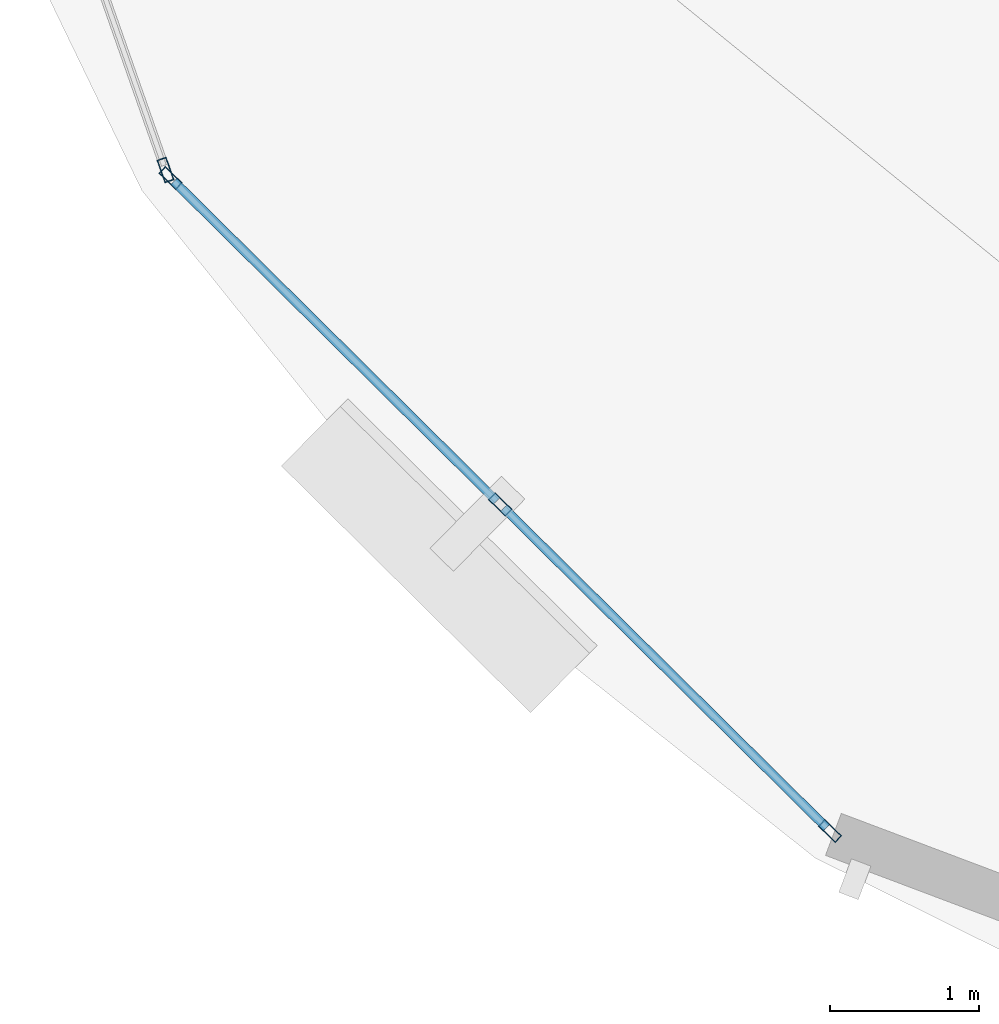
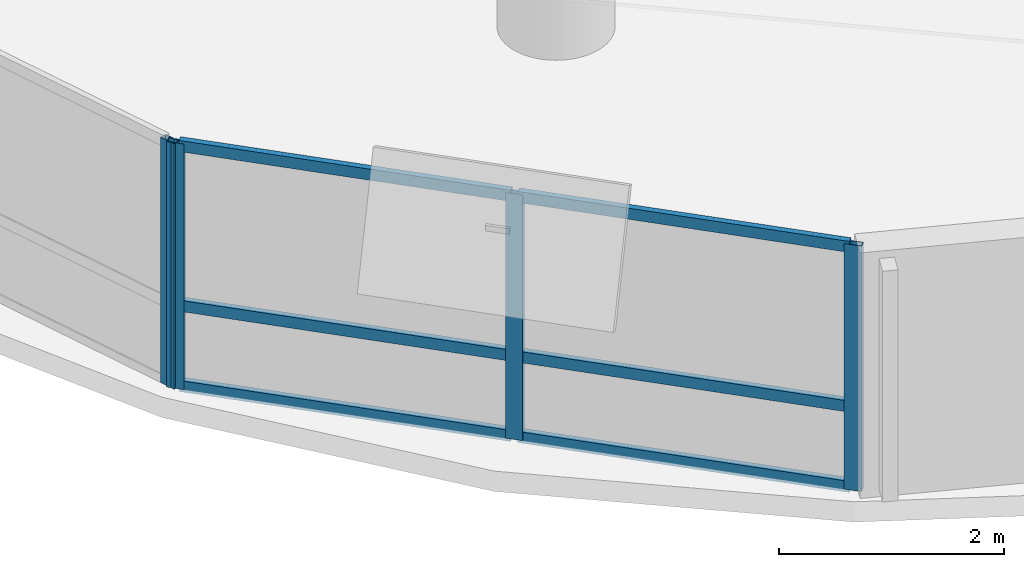
# One storey, part 2 of 12: 10 members, 2 elements without a shape of their own.
"""IFC4 building model written with IfcOpenShell, lengths in metres."""

from ifc_helpers import new_model, si_unit, direction, frame, origin, origin_2d, place, context, subcontext, project, spatial, hollow_rectangle, extrude, material, layer, layer_set, material_profile, profile_set, type_object, element, aggregate, save


model = new_model("IFC4")

# Units and contexts
model_context = context("Model", 3, precision=1e-05, world=origin(), true_north=direction((0.0, 1.0)))
body_context = subcontext(model_context, "Body", "Model", "MODEL_VIEW")
ifc_project = project(units=[si_unit("LENGTHUNIT", "METRE"), si_unit("AREAUNIT", "SQUARE_METRE"), si_unit("VOLUMEUNIT", "CUBIC_METRE"), si_unit("PLANEANGLEUNIT", "RADIAN"), si_unit("MASSUNIT", "GRAM", prefix="KILO"), si_unit("THERMODYNAMICTEMPERATUREUNIT", "KELVIN"), si_unit("POWERUNIT", "WATT")], contexts=[model_context])

# Site, building, storey
site_placement = place(None, origin())
site = spatial("IfcSite", under=ifc_project, at=site_placement, CompositionType="ELEMENT")
building_placement = place(site_placement, origin())
building = spatial("IfcBuilding", under=site, at=building_placement, Name="Ocrelia Relay Tower", CompositionType="ELEMENT")
storey_placement = place(building_placement, frame((0.0, 0.0, 170.0)))
storey = spatial("IfcBuildingStorey", under=building, at=storey_placement, Name="L40", CompositionType="ELEMENT", Elevation=170.0)

# Curtain wall, member
ifc_material_1 = material(Name="Aluminium and solar-control low-E glass", Category="aluminium")
ifc_layer = layer(ifc_material_1, 0.179931640625, Name="Aluminium and solar-control low-E glass")
ifc_layer_set = layer_set([ifc_layer], Name="Aluminium and solar-control low-E glass")
curtain_wall_type = type_object("IfcCurtainWallType", Name="CW-SYS-Z3-CLOU", PredefinedType="NOTDEFINED", material=ifc_layer_set)
curtain_wall_1_placement = place(storey_placement, origin())
curtain_wall_1 = element("IfcCurtainWall", 1, at=curtain_wall_1_placement, inside=storey, type_object=curtain_wall_type, Name="L40 Elliptical Tower Curtain Wall Bay 09", PredefinedType="NOTDEFINED")
ifc_material_2 = material(Name="Anodised bronze aluminium", Category="aluminium")
ifc_material_profile_1 = material_profile(ifc_material_2, hollow_rectangle(XDim=0.06494140625, YDim=0.159912109375, WallThickness=0.0048828125, at=origin_2d()), Name="CW-MUL-160x65")
ifc_profile_set_1 = profile_set([ifc_material_profile_1], Name="Anodised bronze aluminium")
member_type_1 = type_object("IfcMemberType", Name="CW-SYS-Z3-CLOU-MUL", PredefinedType="MULLION", material=ifc_profile_set_1)
member_1_placement = place(storey_placement, frame((14.210205078125, 13.52685546875, 0.0), z_axis=(0.0, 0.0, 1.0), x_axis=(0.943685270253, 0.330844541602, 0.0)))
member_1 = element("IfcMember", 2, at=member_1_placement, type_object=member_type_1, Name="CW-Z3 mullion 3", PredefinedType="MULLION", context=body_context, shape_type="SweptSolid", body=[
    extrude(hollow_rectangle(XDim=0.06494140625, YDim=0.159912109375, WallThickness=0.0048828125, at=origin_2d()), origin(), (0.0, 0.0, 1.0), 2.659912109375),
])
aggregate(curtain_wall_1, [member_1])

# Curtain wall, members
curtain_wall_2_placement = place(storey_placement, origin())
curtain_wall_2 = element("IfcCurtainWall", 3, at=curtain_wall_2_placement, inside=storey, type_object=curtain_wall_type, Name="L40 Elliptical Tower Curtain Wall Bay 10", PredefinedType="NOTDEFINED")
member_2_placement = place(storey_placement, frame((14.243896484375, 13.473388671875, 0.0), z_axis=(0.0, 0.0, 1.0), x_axis=(0.70364442691, 0.710552264425, 0.0)))
member_2 = element("IfcMember", 4, at=member_2_placement, type_object=member_type_1, Name="CW-Z3 mullion 1", PredefinedType="MULLION", context=body_context, shape_type="SweptSolid", body=[
    extrude(hollow_rectangle(XDim=0.06494140625, YDim=0.159912109375, WallThickness=0.0048828125, at=origin_2d()), origin(), (0.0, 0.0, 1.0), 2.659912109375),
])
member_3_placement = place(storey_placement, frame((16.452880859375, 11.285888671875, 0.0), z_axis=(0.0, 0.0, 1.0), x_axis=(0.70364442691, 0.710552264425, 0.0)))
member_3 = element("IfcMember", 5, at=member_3_placement, type_object=member_type_1, Name="CW-Z3 mullion 2", PredefinedType="MULLION", context=body_context, shape_type="SweptSolid", body=[
    extrude(hollow_rectangle(XDim=0.06494140625, YDim=0.159912109375, WallThickness=0.0048828125, at=origin_2d()), origin(), (0.0, 0.0, 1.0), 2.659912109375),
])
member_4_placement = place(storey_placement, frame((18.662109375, 9.098388671875, 0.0), z_axis=(0.0, 0.0, 1.0), x_axis=(0.70364442691, 0.710552264425, 0.0)))
member_4 = element("IfcMember", 6, at=member_4_placement, type_object=member_type_1, Name="CW-Z3 mullion 3", PredefinedType="MULLION", context=body_context, shape_type="SweptSolid", body=[
    extrude(hollow_rectangle(XDim=0.06494140625, YDim=0.159912109375, WallThickness=0.0048828125, at=origin_2d()), origin(), (0.0, 0.0, 1.0), 2.659912109375),
])
ifc_material_profile_2 = material_profile(ifc_material_2, hollow_rectangle(XDim=0.06005859375, YDim=0.1201171875, WallThickness=0.0048828125, at=origin_2d()), Name="CW-TRN-120x60")
ifc_profile_set_2 = profile_set([ifc_material_profile_2], Name="Anodised bronze aluminium")
member_type_2 = type_object("IfcMemberType", Name="CW-SYS-Z3-CLOU-TRN", PredefinedType="USERDEFINED", material=ifc_profile_set_2)
member_5_placement = place(storey_placement, frame((14.26708984375, 13.450439453125, 0.030029296875), z_axis=(0.710547239408, -0.703649501222, 0.0), x_axis=(0.703649501222, 0.710547239408, 0.0)))
member_5 = element("IfcMember", 7, at=member_5_placement, type_object=member_type_2, Name="CW-Z3 transom 1.1", ObjectType="TRANSOM", PredefinedType="USERDEFINED", context=body_context, shape_type="SweptSolid", body=[
    extrude(hollow_rectangle(XDim=0.06005859375, YDim=0.1201171875, WallThickness=0.0048828125, at=origin_2d()), origin(), (0.0, 0.0, 1.0), 3.0439453125),
])
member_6_placement = place(storey_placement, frame((14.26708984375, 13.450439453125, 0.89990234375), z_axis=(0.710547239408, -0.703649501222, 0.0), x_axis=(0.703649501222, 0.710547239408, 0.0)))
member_6 = element("IfcMember", 8, at=member_6_placement, type_object=member_type_2, Name="CW-Z3 transom 1.2", ObjectType="TRANSOM", PredefinedType="USERDEFINED", context=body_context, shape_type="SweptSolid", body=[
    extrude(hollow_rectangle(XDim=0.06005859375, YDim=0.1201171875, WallThickness=0.0048828125, at=origin_2d()), origin(), (0.0, 0.0, 1.0), 3.0439453125),
])
member_7_placement = place(storey_placement, frame((14.26708984375, 13.450439453125, 2.6298828125), z_axis=(0.710547239408, -0.703649501222, 0.0), x_axis=(0.703649501222, 0.710547239408, 0.0)))
member_7 = element("IfcMember", 9, at=member_7_placement, type_object=member_type_2, Name="CW-Z3 transom 1.3", ObjectType="TRANSOM", PredefinedType="USERDEFINED", context=body_context, shape_type="SweptSolid", body=[
    extrude(hollow_rectangle(XDim=0.06005859375, YDim=0.1201171875, WallThickness=0.0048828125, at=origin_2d()), origin(), (0.0, 0.0, 1.0), 3.0439453125),
])
member_8_placement = place(storey_placement, frame((16.47607421875, 11.262939453125, 0.030029296875), z_axis=(0.710547239408, -0.703649501222, 0.0), x_axis=(0.703649501222, 0.710547239408, 0.0)))
member_8 = element("IfcMember", 10, at=member_8_placement, type_object=member_type_2, Name="CW-Z3 transom 2.1", ObjectType="TRANSOM", PredefinedType="USERDEFINED", context=body_context, shape_type="SweptSolid", body=[
    extrude(hollow_rectangle(XDim=0.06005859375, YDim=0.1201171875, WallThickness=0.0048828125, at=origin_2d()), origin(), (0.0, 0.0, 1.0), 3.0439453125),
])
member_9_placement = place(storey_placement, frame((16.47607421875, 11.262939453125, 0.89990234375), z_axis=(0.710547239408, -0.703649501222, 0.0), x_axis=(0.703649501222, 0.710547239408, 0.0)))
member_9 = element("IfcMember", 11, at=member_9_placement, type_object=member_type_2, Name="CW-Z3 transom 2.2", ObjectType="TRANSOM", PredefinedType="USERDEFINED", context=body_context, shape_type="SweptSolid", body=[
    extrude(hollow_rectangle(XDim=0.06005859375, YDim=0.1201171875, WallThickness=0.0048828125, at=origin_2d()), origin(), (0.0, 0.0, 1.0), 3.0439453125),
])
member_10_placement = place(storey_placement, frame((16.47607421875, 11.262939453125, 2.6298828125), z_axis=(0.710547239408, -0.703649501222, 0.0), x_axis=(0.703649501222, 0.710547239408, 0.0)))
member_10 = element("IfcMember", 12, at=member_10_placement, type_object=member_type_2, Name="CW-Z3 transom 2.3", ObjectType="TRANSOM", PredefinedType="USERDEFINED", context=body_context, shape_type="SweptSolid", body=[
    extrude(hollow_rectangle(XDim=0.06005859375, YDim=0.1201171875, WallThickness=0.0048828125, at=origin_2d()), origin(), (0.0, 0.0, 1.0), 3.0439453125),
])
aggregate(curtain_wall_2, [member_2, member_3, member_4, member_5, member_6, member_7, member_8, member_9, member_10])

save(model, "model.ifc")
